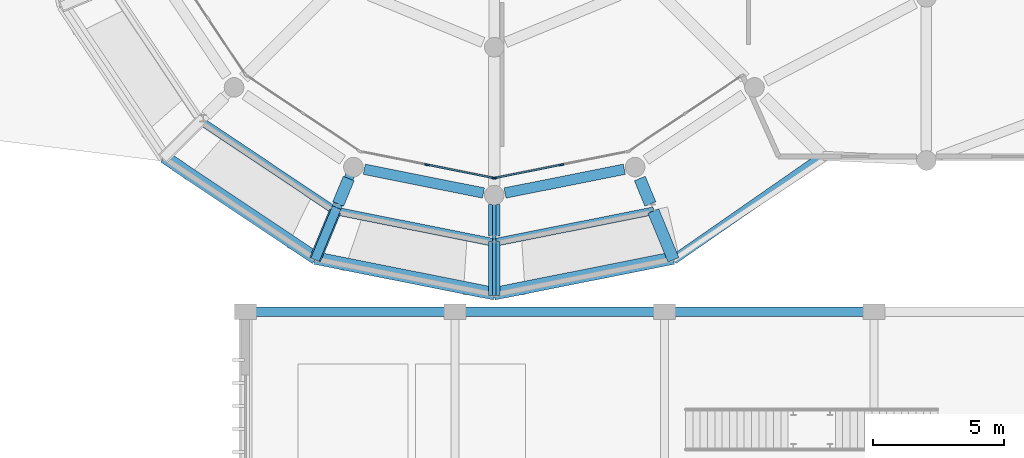
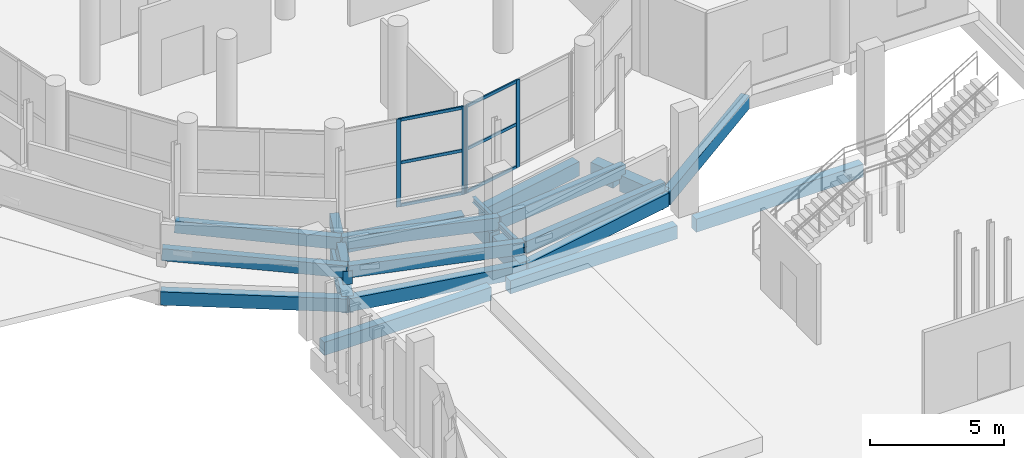
# One storey, part 23 of 117: 25 beams, 10 members, 2 elements without a shape of their own.
"""IFC4 building model written with IfcOpenShell, lengths in metres."""

from ifc_helpers import new_model, si_unit, direction, frame, origin, origin_2d, place, context, subcontext, project, spatial, rectangle, i_section, extrude, material, layer, layer_set, material_profile, profile_set, type_object, element, aggregate, save


model = new_model("IFC4")

# Units and contexts
model_context = context("Model", 3, precision=1e-05, world=origin(), true_north=direction((0.0, 1.0)))
body_context = subcontext(model_context, "Body", "Model", "MODEL_VIEW")
ifc_project = project(units=[si_unit("LENGTHUNIT", "METRE"), si_unit("AREAUNIT", "SQUARE_METRE"), si_unit("VOLUMEUNIT", "CUBIC_METRE"), si_unit("PLANEANGLEUNIT", "RADIAN"), si_unit("MASSUNIT", "GRAM", prefix="KILO")], contexts=[model_context])

# Site, building, storey
site_placement = place(None, origin())
site = spatial("IfcSite", under=ifc_project, at=site_placement, CompositionType="ELEMENT")
building_placement = place(site_placement, origin())
building = spatial("IfcBuilding", under=site, at=building_placement, Name="Jelvoka-Kovrelna Polytechnic", CompositionType="ELEMENT")
storey_placement = place(building_placement, origin())
storey = spatial("IfcBuildingStorey", under=building, at=storey_placement, Name="L01", CompositionType="ELEMENT", Elevation=0.0)

# Beams
ifc_material_1 = material(Name="Concrete C35/45", Category="concrete")
ifc_material_profile_1 = material_profile(ifc_material_1, rectangle(XDim=0.35009765625, YDim=0.60009765625, at=origin_2d()), Name="RC 350x600")
ifc_profile_set_1 = profile_set([ifc_material_profile_1], Name="Concrete C35/45")
beam_type_1 = type_object("IfcBeamType", Name="Beam_RC_350x600", PredefinedType="BEAM", material=ifc_profile_set_1)
beam_1_placement = place(storey_placement, frame((20.123291015625, 29.51953125, 0.43505859375), z_axis=(-0.38270467954, -0.923870731357, 0.0), x_axis=(0.923870731357, -0.38270467954, 0.0)))
element("IfcBeam", 1, at=beam_1_placement, inside=storey, type_object=beam_type_1, Name="L01 spiral ramp inner tie beam 1.9", PredefinedType="BEAM", context=body_context, shape_type="SweptSolid", body=[
    extrude(rectangle(XDim=0.35009765625, YDim=0.60009765625, at=origin_2d()), origin(), (0.0, 0.0, 1.0), 1.670166015625),
])
beam_2_placement = place(storey_placement, frame((19.484130859375, 27.9765625, 0.43505859375), z_axis=(-0.382608018592, -0.923910766313, 0.0), x_axis=(0.923910766313, -0.382608018592, 0.0)))
element("IfcBeam", 2, at=beam_2_placement, inside=storey, type_object=beam_type_1, Name="L01 spiral ramp cantilever bracket 1.9", PredefinedType="BEAM", context=body_context, shape_type="SweptSolid", body=[
    extrude(rectangle(XDim=0.35009765625, YDim=0.60009765625, at=origin_2d()), origin(), (0.0, 0.0, 1.0), 2.159912109375),
])
ifc_material_2 = material(Name="Concrete C40/50", Category="concrete")
ifc_material_profile_2 = material_profile(ifc_material_2, rectangle(XDim=0.39990234375, YDim=0.64990234375, at=origin_2d()), Name="RC 400x650")
ifc_profile_set_2 = profile_set([ifc_material_profile_2], Name="Concrete C40/50")
beam_type_2 = type_object("IfcBeamType", Name="Beam_RC_400x650", PredefinedType="BEAM", material=ifc_profile_set_2)
for number, where, z_axis, x_axis, name in (
    (3, (20.5361328125, 29.4375, -0.72998046875), (0.980774461066, -0.195144706619, 0.0), (0.195144706619, 0.980774461066, 0.0), "L01 beam 2346"),
    (4, (25.912841796875, 28.531982421875, -0.72998046875), (0.980774461066, 0.195144706619, 0.0), (-0.195144706619, 0.980774461066, 0.0), "L01 beam 2347"),
):
    element("IfcBeam", number, at=place(storey_placement, frame(where, z_axis=z_axis, x_axis=x_axis)), inside=storey, type_object=beam_type_2, Name=name, PredefinedType="BEAM", context=body_context, shape_type="SweptSolid", body=[
        extrude(rectangle(XDim=0.39990234375, YDim=0.64990234375, at=origin_2d()), origin(), (0.0, 0.0, 1.0), 4.64013671875),
    ])
ifc_material_3 = material(Name="Concrete C40/50", Category="concrete")
ifc_material_profile_3 = material_profile(ifc_material_3, rectangle(XDim=0.449951171875, YDim=0.75, at=origin_2d()), Name="RC 450x750")
ifc_profile_set_3 = profile_set([ifc_material_profile_3], Name="Concrete C40/50")
beam_type_3 = type_object("IfcBeamType", Name="Beam_RC_450x750", PredefinedType="BEAM", material=ifc_profile_set_3)
beam_3_placement = place(storey_placement, frame((19.943603515625, 29.085205078125, -0.780029296875), z_axis=(-0.382822216634, -0.923822033971, 0.0), x_axis=(0.923822033971, -0.382822216634, 0.0)))
element("IfcBeam", 5, at=beam_3_placement, inside=storey, type_object=beam_type_3, Name="L01 beam 2366", PredefinedType="BEAM", context=body_context, shape_type="SweptSolid", body=[
    extrude(rectangle(XDim=0.449951171875, YDim=0.75, at=origin_2d()), origin(), (0.0, 0.0, 1.0), 1.05419921875),
])
beam_4_placement = place(storey_placement, frame((19.428466796875, 27.841796875, -0.780029296875), z_axis=(-0.38266938507, -0.923885350966, 0.0), x_axis=(0.923885350966, -0.38266938507, 0.0)))
element("IfcBeam", 6, at=beam_4_placement, inside=storey, type_object=beam_type_3, Name="L01 beam 2367", PredefinedType="BEAM", context=body_context, shape_type="SweptSolid", body=[
    extrude(rectangle(XDim=0.449951171875, YDim=0.75, at=origin_2d()), origin(), (0.0, 0.0, 1.0), 2.01416015625),
])
beam_5_placement = place(storey_placement, frame((25.5, 28.094970703125, -0.780029296875), z_axis=(0.0, -1.0, 0.0), x_axis=(1.0, 0.0, 0.0)))
element("IfcBeam", 7, at=beam_5_placement, inside=storey, type_object=beam_type_3, Name="L01 beam 2368", PredefinedType="BEAM", context=body_context, shape_type="SweptSolid", body=[
    extrude(rectangle(XDim=0.449951171875, YDim=0.75, at=origin_2d()), origin(), (0.0, 0.0, 1.0), 1.2080078125),
])
beam_6_placement = place(storey_placement, frame((25.5, 26.673095703125, -0.780029296875), z_axis=(0.0, -1.0, 0.0), x_axis=(1.0, 0.0, 0.0)))
element("IfcBeam", 8, at=beam_6_placement, inside=storey, type_object=beam_type_3, Name="L01 beam 2369", PredefinedType="BEAM", context=body_context, shape_type="SweptSolid", body=[
    extrude(rectangle(XDim=0.449951171875, YDim=0.75, at=origin_2d()), origin(), (0.0, 0.0, 1.0), 2.052978515625),
])
beam_7_placement = place(storey_placement, frame((31.056396484375, 29.085205078125, -0.780029296875), z_axis=(0.382822216634, -0.923822033971, 0.0), x_axis=(0.923822033971, 0.382822216634, 0.0)))
element("IfcBeam", 9, at=beam_7_placement, inside=storey, type_object=beam_type_3, Name="L01 beam 2370", PredefinedType="BEAM", context=body_context, shape_type="SweptSolid", body=[
    extrude(rectangle(XDim=0.449951171875, YDim=0.75, at=origin_2d()), origin(), (0.0, 0.0, 1.0), 1.05419921875),
])
beam_8_placement = place(storey_placement, frame((31.571533203125, 27.841796875, -0.780029296875), z_axis=(0.38266938507, -0.923885350966, 0.0), x_axis=(0.923885350966, 0.38266938507, 0.0)))
element("IfcBeam", 10, at=beam_8_placement, inside=storey, type_object=beam_type_3, Name="L01 beam 2371", PredefinedType="BEAM", context=body_context, shape_type="SweptSolid", body=[
    extrude(rectangle(XDim=0.449951171875, YDim=0.75, at=origin_2d()), origin(), (0.0, 0.0, 1.0), 2.01416015625),
])

# Curtain wall, members
ifc_material_4 = material(Name="Anodised aluminium 6063-T6", Category="aluminium")
ifc_layer = layer(ifc_material_4, 0.179931640625)
ifc_layer_set = layer_set([ifc_layer], Name="Anodised aluminium 6063-T6")
curtain_wall_type = type_object("IfcCurtainWallType", Name="CW_Pavilion", PredefinedType="NOTDEFINED", material=ifc_layer_set)
curtain_wall_1_placement = place(storey_placement, origin())
curtain_wall_1 = element("IfcCurtainWall", 11, at=curtain_wall_1_placement, inside=storey, type_object=curtain_wall_type, Name="L01 glazed curtain wall 219", PredefinedType="NOTDEFINED")
ifc_material_5 = material(Name="Anodised aluminium 6063-T6", Category="aluminium")
ifc_material_profile_4 = material_profile(ifc_material_5, rectangle(XDim=0.06494140625, YDim=0.179931640625, at=origin_2d()), Name="ALU 65x180")
ifc_profile_set_4 = profile_set([ifc_material_profile_4], Name="Anodised aluminium 6063-T6")
member_type_1 = type_object("IfcMemberType", Name="Mullion_M-05", PredefinedType="MULLION", material=ifc_profile_set_4)
member_1_placement = place(storey_placement, frame((25.468017578125, 29.1064453125, -0.02490234375), z_axis=(0.0, 0.0, 1.0), x_axis=(-0.195086160371, -0.980786108197, 0.0)))
member_1 = element("IfcMember", 12, at=member_1_placement, type_object=member_type_1, Name="CW-05 mullion 1", PredefinedType="MULLION", context=body_context, shape_type="SweptSolid", body=[
    extrude(rectangle(XDim=0.06494140625, YDim=0.179931640625, at=origin_2d()), origin(), (0.0, 0.0, 1.0), 4.0),
])
member_2_placement = place(storey_placement, frame((22.93603515625, 29.610107421875, -0.02490234375), z_axis=(0.0, 0.0, 1.0), x_axis=(-0.195086160371, -0.980786108197, 0.0)))
member_2 = element("IfcMember", 13, at=member_2_placement, type_object=member_type_1, Name="CW-05 mullion 2", PredefinedType="MULLION", context=body_context, shape_type="SweptSolid", body=[
    extrude(rectangle(XDim=0.06494140625, YDim=0.179931640625, at=origin_2d()), origin(), (0.0, 0.0, 1.0), 4.0),
])

curtain_wall_2_placement = place(storey_placement, origin())
curtain_wall_2 = element("IfcCurtainWall", 14, at=curtain_wall_2_placement, inside=storey, type_object=curtain_wall_type, Name="L01 glazed curtain wall 220", PredefinedType="NOTDEFINED")
member_3_placement = place(storey_placement, frame((28.06396484375, 29.610107421875, -0.02490234375), z_axis=(0.0, 0.0, 1.0), x_axis=(0.195086160371, -0.980786108197, 0.0)))
member_3 = element("IfcMember", 15, at=member_3_placement, type_object=member_type_1, Name="CW-05 mullion 2", PredefinedType="MULLION", context=body_context, shape_type="SweptSolid", body=[
    extrude(rectangle(XDim=0.06494140625, YDim=0.179931640625, at=origin_2d()), origin(), (0.0, 0.0, 1.0), 4.0),
])
member_4_placement = place(storey_placement, frame((25.531982421875, 29.1064453125, -0.02490234375), z_axis=(0.0, 0.0, 1.0), x_axis=(0.195086160371, -0.980786108197, 0.0)))
member_4 = element("IfcMember", 16, at=member_4_placement, type_object=member_type_1, Name="CW-05 mullion 3", PredefinedType="MULLION", context=body_context, shape_type="SweptSolid", body=[
    extrude(rectangle(XDim=0.06494140625, YDim=0.179931640625, at=origin_2d()), origin(), (0.0, 0.0, 1.0), 4.0),
])

# Beams
ifc_material_6 = material(Name="Structural steel S355JR", Category="steel")
ifc_material_profile_5 = material_profile(ifc_material_6, i_section(OverallWidth=0.14599609375, OverallDepth=0.25146484375, WebThickness=0.006103515625, FlangeThickness=0.008544921875, FilletRadius=0.007568359375, at=origin_2d()), Name="254x146x31 UB")
ifc_profile_set_5 = profile_set([ifc_material_profile_5], Name="Structural steel S355JR")
beam_type_4 = type_object("IfcBeamType", Name="Purlin_Steel_UB254", PredefinedType="JOIST", material=ifc_profile_set_5)
beam_9_placement = place(storey_placement, frame((25.5, 28.449951171875, 0.12939453125), z_axis=(0.0, -1.0, 0.0), x_axis=(1.0, 0.0, 0.0)))
element("IfcBeam", 17, at=beam_9_placement, inside=storey, type_object=beam_type_4, Name="L01 spiral ramp inner tie beam 1.10", PredefinedType="JOIST", context=body_context, shape_type="SweptSolid", body=[
    extrude(i_section(OverallWidth=0.14599609375, OverallDepth=0.25146484375, WebThickness=0.006103515625, FlangeThickness=0.008544921875, FilletRadius=0.007568359375, at=origin_2d()), origin(), (0.0, 0.0, 1.0), 1.669921875),
])
beam_10_placement = place(storey_placement, frame((25.5, 26.780029296875, 0.12939453125), z_axis=(0.0, -1.0, 0.0), x_axis=(1.0, 0.0, 0.0)))
element("IfcBeam", 18, at=beam_10_placement, inside=storey, type_object=beam_type_4, Name="L01 spiral ramp cantilever bracket 1.10", PredefinedType="JOIST", context=body_context, shape_type="SweptSolid", body=[
    extrude(i_section(OverallWidth=0.14599609375, OverallDepth=0.25146484375, WebThickness=0.006103515625, FlangeThickness=0.008544921875, FilletRadius=0.007568359375, at=origin_2d()), origin(), (0.0, 0.0, 1.0), 2.159912109375),
])
ifc_material_7 = material(Name="Concrete C40/50", Category="concrete")
ifc_material_profile_6 = material_profile(ifc_material_7, rectangle(XDim=0.300048828125, YDim=0.550048828125, at=origin_2d()), Name="RC 300x550")
ifc_profile_set_6 = profile_set([ifc_material_profile_6], Name="Concrete C40/50")
beam_type_5 = type_object("IfcBeamType", Name="Spandrel_RC_300x550", PredefinedType="SPANDREL", material=ifc_profile_set_6)
beam_11_placement = place(storey_placement, frame((32.28125, 26.12890625, -0.27490234375), z_axis=(-0.978430417341, -0.194622265834, 0.069253823462), x_axis=(0.195090664524, -0.980785212274, 0.0)))
element("IfcBeam", 19, at=beam_11_placement, inside=storey, type_object=beam_type_5, Name="L01 spiral ramp curved outer stringer 1.11", PredefinedType="SPANDREL", context=body_context, shape_type="SweptSolid", body=[
    extrude(rectangle(XDim=0.300048828125, YDim=0.550048828125, at=origin_2d()), origin(), (0.0, 0.0, 1.0), 6.9306640625),
])
beam_12_placement = place(storey_placement, frame((31.5693359375, 27.847412109375, -0.27490234375), z_axis=(-0.977840520324, -0.194545422909, 0.07733042892), x_axis=(0.195129735209, -0.980777439808, 0.0)))
element("IfcBeam", 20, at=beam_12_placement, inside=storey, type_object=beam_type_5, Name="L01 spiral ramp curved inner stringer 1.11", PredefinedType="SPANDREL", context=body_context, shape_type="SweptSolid", body=[
    extrude(rectangle(XDim=0.300048828125, YDim=0.550048828125, at=origin_2d()), origin(), (0.0, 0.0, 1.0), 6.206787109375),
])
beam_13_placement = place(storey_placement, frame((25.5, 24.780029296875, 0.205078125), z_axis=(-0.978430417341, 0.194622265834, 0.069253823462), x_axis=(-0.195090664524, -0.980785212274, 0.0)))
element("IfcBeam", 21, at=beam_13_placement, inside=storey, type_object=beam_type_5, Name="L01 spiral ramp curved outer stringer 1.10", PredefinedType="SPANDREL", context=body_context, shape_type="SweptSolid", body=[
    extrude(rectangle(XDim=0.300048828125, YDim=0.550048828125, at=origin_2d()), origin(), (0.0, 0.0, 1.0), 6.9306640625),
])
beam_14_placement = place(storey_placement, frame((25.5, 26.639892578125, 0.205078125), z_axis=(-0.977840520324, 0.194545422909, 0.07733042892), x_axis=(-0.195129735209, -0.980777439808, 0.0)))
element("IfcBeam", 22, at=beam_14_placement, inside=storey, type_object=beam_type_5, Name="L01 spiral ramp curved inner stringer 1.10", PredefinedType="SPANDREL", context=body_context, shape_type="SweptSolid", body=[
    extrude(rectangle(XDim=0.300048828125, YDim=0.550048828125, at=origin_2d()), origin(), (0.0, 0.0, 1.0), 6.206787109375),
])
beam_15_placement = place(storey_placement, frame((18.71875, 26.12890625, 0.68505859375), z_axis=(-0.829455823466, 0.554262207017, 0.069256355599), x_axis=(-0.555596251424, -0.831452226772, 0.0)))
element("IfcBeam", 23, at=beam_15_placement, inside=storey, type_object=beam_type_5, Name="L01 spiral ramp curved outer stringer 1.9", PredefinedType="SPANDREL", context=body_context, shape_type="SweptSolid", body=[
    extrude(rectangle(XDim=0.300048828125, YDim=0.550048828125, at=origin_2d()), origin(), (0.0, 0.0, 1.0), 6.930419921875),
])
beam_16_placement = place(storey_placement, frame((19.4306640625, 27.847412109375, 0.68505859375), z_axis=(-0.828977242315, 0.553910202908, 0.077331874657), x_axis=(-0.555573920801, -0.831467148194, 0.0)))
element("IfcBeam", 24, at=beam_16_placement, inside=storey, type_object=beam_type_5, Name="L01 spiral ramp curved inner stringer 1.9", PredefinedType="SPANDREL", context=body_context, shape_type="SweptSolid", body=[
    extrude(rectangle(XDim=0.300048828125, YDim=0.550048828125, at=origin_2d()), origin(), (0.0, 0.0, 1.0), 6.206787109375),
])
ifc_material_8 = material(Name="Concrete C40/50", Category="concrete")
ifc_material_profile_7 = material_profile(ifc_material_8, rectangle(XDim=0.35009765625, YDim=0.60009765625, at=origin_2d()), Name="RC 350x600")
ifc_profile_set_7 = profile_set([ifc_material_profile_7], Name="Concrete C40/50")
beam_type_6 = type_object("IfcBeamType", Name="Spandrel_RC_350x600", PredefinedType="SPANDREL", material=ifc_profile_set_7)
for number, where, z_axis, x_axis, name in (
    (25, (16.405029296875, 24.0, -0.7099609375), (1.0, 0.0, 0.0), (0.0, 1.0, 0.0), "L01 beam 0123"),
    (26, (24.405029296875, 24.0, -0.7099609375), (1.0, 0.0, 0.0), (0.0, 1.0, 0.0), "L01 beam 0125"),
    (27, (32.405029296875, 24.0, -0.7099609375), (1.0, 0.0, 0.0), (0.0, 1.0, 0.0), "L01 beam 0127"),
):
    element("IfcBeam", number, at=place(storey_placement, frame(where, z_axis=z_axis, x_axis=x_axis)), inside=storey, type_object=beam_type_6, Name=name, PredefinedType="SPANDREL", context=body_context, shape_type="SweptSolid", body=[
        extrude(rectangle(XDim=0.35009765625, YDim=0.60009765625, at=origin_2d()), origin(), (0.0, 0.0, 1.0), 7.18994140625),
    ])
beam_17_placement = place(storey_placement, frame((12.85693359375, 29.85693359375, -0.705078125), z_axis=(0.831468390799, -0.555572061125, 0.0), x_axis=(0.555572061125, 0.831468390799, 0.0)))
element("IfcBeam", 28, at=beam_17_placement, inside=storey, type_object=beam_type_6, Name="L01 beam 2381", PredefinedType="SPANDREL", context=body_context, shape_type="SweptSolid", body=[
    extrude(rectangle(XDim=0.35009765625, YDim=0.60009765625, at=origin_2d()), origin(), (0.0, 0.0, 1.0), 6.9765625),
])
for number, where, z_axis, x_axis, name in (
    (29, (18.65771484375, 25.98095703125, -0.705078125), (0.98079008799, -0.19506615109, 0.0), (0.19506615109, 0.98079008799, 0.0), "L01 beam 2382"),
    (30, (25.5, 24.6201171875, -0.705078125), (0.98079008799, 0.19506615109, 0.0), (-0.19506615109, 0.98079008799, 0.0), "L01 beam 2383"),
):
    element("IfcBeam", number, at=place(storey_placement, frame(where, z_axis=z_axis, x_axis=x_axis)), inside=storey, type_object=beam_type_6, Name=name, PredefinedType="SPANDREL", context=body_context, shape_type="SweptSolid", body=[
        extrude(rectangle(XDim=0.35009765625, YDim=0.60009765625, at=origin_2d()), origin(), (0.0, 0.0, 1.0), 6.976318359375),
    ])
beam_18_placement = place(storey_placement, frame((32.34228515625, 25.98095703125, -0.705078125), z_axis=(0.821126306312, 0.570746519116, 0.0), x_axis=(-0.570746519116, 0.821126306312, 0.0)))
element("IfcBeam", 31, at=beam_18_placement, inside=storey, type_object=beam_type_6, Name="L01 beam 2384", PredefinedType="SPANDREL", context=body_context, shape_type="SweptSolid", body=[
    extrude(rectangle(XDim=0.35009765625, YDim=0.60009765625, at=origin_2d()), origin(), (0.0, 0.0, 1.0), 6.952392578125),
])

# Member
ifc_material_9 = material(Name="Anodised aluminium 6063-T6", Category="aluminium")
ifc_material_profile_8 = material_profile(ifc_material_9, rectangle(XDim=0.06494140625, YDim=0.135009765625, at=origin_2d()), Name="ALU 65x135")
ifc_profile_set_8 = profile_set([ifc_material_profile_8], Name="Anodised aluminium 6063-T6")
member_type_2 = type_object("IfcMemberType", Name="Transom_T-05", PredefinedType="USERDEFINED", material=ifc_profile_set_8)
member_5_placement = place(storey_placement, frame((25.436279296875, 29.11279296875, 0.032470703125), z_axis=(-0.980789047023, 0.195071384983, 0.0), x_axis=(-0.195071384983, -0.980789047023, 0.0)))
member_5 = element("IfcMember", 32, at=member_5_placement, type_object=member_type_2, Name="CW-05 transom 1.1", ObjectType="TRANSOM", PredefinedType="USERDEFINED", context=body_context, shape_type="SweptSolid", body=[
    extrude(rectangle(XDim=0.06494140625, YDim=0.135009765625, at=origin_2d()), origin(), (0.0, 0.0, 1.0), 2.516845703125),
])

member_6_placement = place(storey_placement, frame((25.436279296875, 29.11279296875, 1.97509765625), z_axis=(-0.980789047023, 0.195071384983, 0.0), x_axis=(-0.195071384983, -0.980789047023, 0.0)))
member_6 = element("IfcMember", 33, at=member_6_placement, type_object=member_type_2, Name="CW-05 transom 1.2", ObjectType="TRANSOM", PredefinedType="USERDEFINED", context=body_context, shape_type="SweptSolid", body=[
    extrude(rectangle(XDim=0.06494140625, YDim=0.135009765625, at=origin_2d()), origin(), (0.0, 0.0, 1.0), 2.516845703125),
])

member_7_placement = place(storey_placement, frame((25.436279296875, 29.11279296875, 3.91748046875), z_axis=(-0.980789047023, 0.195071384983, 0.0), x_axis=(-0.195071384983, -0.980789047023, 0.0)))
member_7 = element("IfcMember", 34, at=member_7_placement, type_object=member_type_2, Name="CW-05 transom 1.3", ObjectType="TRANSOM", PredefinedType="USERDEFINED", context=body_context, shape_type="SweptSolid", body=[
    extrude(rectangle(XDim=0.06494140625, YDim=0.135009765625, at=origin_2d()), origin(), (0.0, 0.0, 1.0), 2.516845703125),
])

aggregate(curtain_wall_1, [member_1, member_2, member_5, member_6, member_7])

member_8_placement = place(storey_placement, frame((28.0322265625, 29.603759765625, 0.032470703125), z_axis=(-0.980789047023, -0.195071384983, 0.0), x_axis=(0.195071384983, -0.980789047023, 0.0)))
member_8 = element("IfcMember", 35, at=member_8_placement, type_object=member_type_2, Name="CW-05 transom 2.1", ObjectType="TRANSOM", PredefinedType="USERDEFINED", context=body_context, shape_type="SweptSolid", body=[
    extrude(rectangle(XDim=0.06494140625, YDim=0.135009765625, at=origin_2d()), origin(), (0.0, 0.0, 1.0), 2.516845703125),
])

member_9_placement = place(storey_placement, frame((28.0322265625, 29.603759765625, 1.97509765625), z_axis=(-0.980789047023, -0.195071384983, 0.0), x_axis=(0.195071384983, -0.980789047023, 0.0)))
member_9 = element("IfcMember", 36, at=member_9_placement, type_object=member_type_2, Name="CW-05 transom 2.2", ObjectType="TRANSOM", PredefinedType="USERDEFINED", context=body_context, shape_type="SweptSolid", body=[
    extrude(rectangle(XDim=0.06494140625, YDim=0.135009765625, at=origin_2d()), origin(), (0.0, 0.0, 1.0), 2.516845703125),
])

member_10_placement = place(storey_placement, frame((28.0322265625, 29.603759765625, 3.91748046875), z_axis=(-0.980789047023, -0.195071384983, 0.0), x_axis=(0.195071384983, -0.980789047023, 0.0)))
member_10 = element("IfcMember", 37, at=member_10_placement, type_object=member_type_2, Name="CW-05 transom 2.3", ObjectType="TRANSOM", PredefinedType="USERDEFINED", context=body_context, shape_type="SweptSolid", body=[
    extrude(rectangle(XDim=0.06494140625, YDim=0.135009765625, at=origin_2d()), origin(), (0.0, 0.0, 1.0), 2.516845703125),
])

aggregate(curtain_wall_2, [member_3, member_4, member_8, member_9, member_10])

save(model, "model.ifc")
